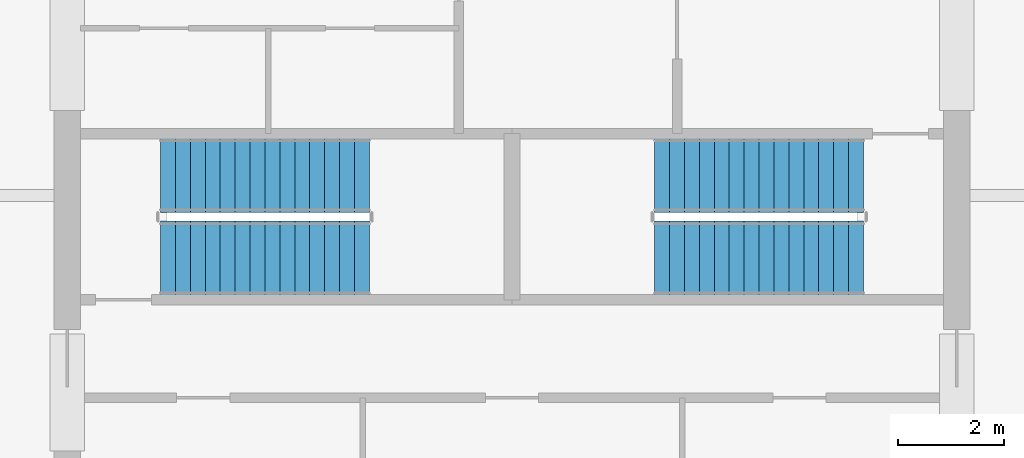
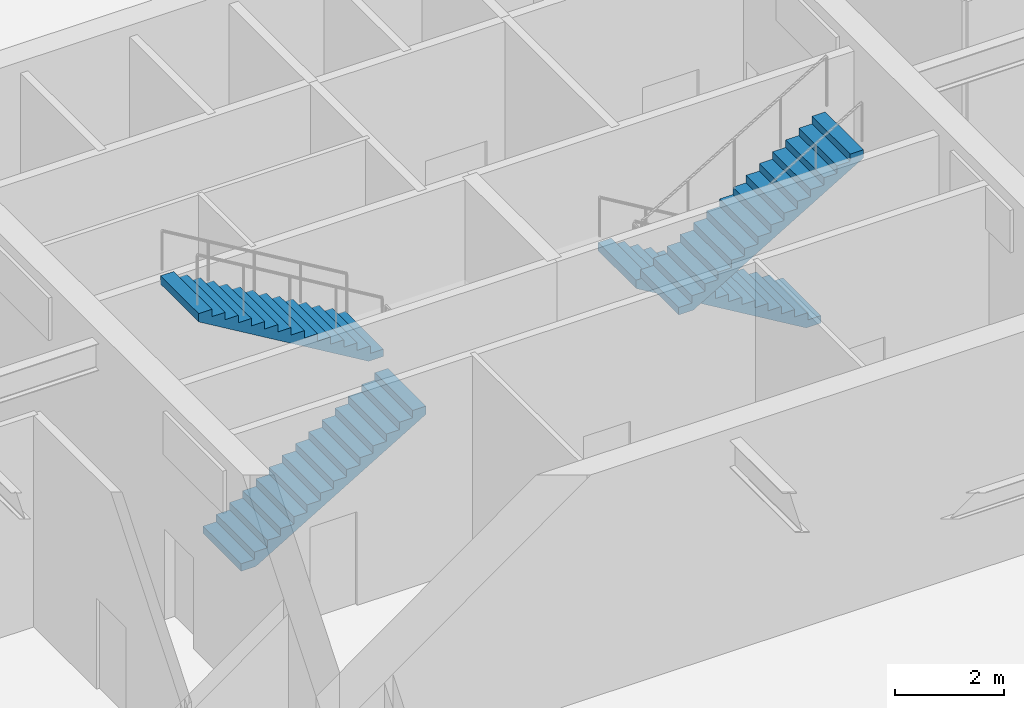
# One storey, part 7 of 10: 4 stair flights, 2 elements without a shape of their own.
"""IFC4 building model written with IfcOpenShell, lengths in metres."""

from ifc_helpers import new_model, si_unit, direction, frame, origin, place, context, subcontext, project, spatial, polyline, outline, extrude, material, type_object, element, aggregate, save


model = new_model("IFC4")

# Units and contexts
model_context = context("Model", 3, precision=1e-05, world=origin(), true_north=direction((0.0, 1.0)))
body_context = subcontext(model_context, "Body", "Model", "MODEL_VIEW")
ifc_project = project(units=[si_unit("LENGTHUNIT", "METRE"), si_unit("AREAUNIT", "SQUARE_METRE"), si_unit("VOLUMEUNIT", "CUBIC_METRE"), si_unit("PLANEANGLEUNIT", "RADIAN"), si_unit("MASSUNIT", "GRAM", prefix="KILO")], contexts=[model_context])

# Site, building, storey
site_placement = place(None, origin())
site = spatial("IfcSite", under=ifc_project, at=site_placement, CompositionType="ELEMENT")
building_placement = place(site_placement, origin())
building = spatial("IfcBuilding", under=site, at=building_placement, Name="Drelvath Grand Hotel", CompositionType="ELEMENT")
storey_placement = place(building_placement, frame((0.0, 0.0, 260.0)))
storey = spatial("IfcBuildingStorey", under=building, at=storey_placement, Name="L68", CompositionType="ELEMENT", Elevation=260.0)

# Stair, stair flights
ifc_material = material(Name="Concrete C40/50", Category="concrete")
stair_type = type_object("IfcStairType", Name="Dogleg Exit Stair W1400-R166.7", PredefinedType="HALF_TURN_STAIR", material=ifc_material)
stair_1_placement = place(storey_placement, origin())
stair_1 = element("IfcStair", 1, at=stair_1_placement, inside=storey, type_object=stair_type, Name="L68 Core Exit Stair ST-1", PredefinedType="HALF_TURN_STAIR")
stair_flight_type = type_object("IfcStairFlightType", Name="Concrete Stair Flight W1400-R166.7", PredefinedType="STRAIGHT", material=ifc_material)
stair_flight_1_placement = place(storey_placement, frame((-6.60009765625, 25.820068359375, 0.0), z_axis=(0.0, 0.0, 1.0), x_axis=(1.0, 0.0, 0.0)))
stair_flight_1 = element("IfcStairFlight", 2, at=stair_flight_1_placement, type_object=stair_flight_type, Name="ST-1 flight 1", NumberOfRisers=15, NumberOfTreads=14, PredefinedType="STRAIGHT", RiserHeight=0.166666667, TreadLength=0.28, context=body_context, shape_type="SweptSolid", body=[
    extrude(outline(polyline([(0.0, 0.0), (0.0, 0.166748046875), (0.280029296875, 0.166748046875), (0.280029296875, 0.333251953125), (0.56005859375, 0.333251953125), (0.56005859375, 0.5), (0.840087890625, 0.5), (0.840087890625, 0.666748046875), (1.1201171875, 0.666748046875), (1.1201171875, 0.833251953125), (1.39990234375, 0.833251953125), (1.39990234375, 1.0), (1.679931640625, 1.0), (1.679931640625, 1.166748046875), (1.9599609375, 1.166748046875), (1.9599609375, 1.333251953125), (2.239990234375, 1.333251953125), (2.239990234375, 1.5), (2.52001953125, 1.5), (2.52001953125, 1.666748046875), (2.800048828125, 1.666748046875), (2.800048828125, 1.833251953125), (3.080078125, 1.833251953125), (3.080078125, 2.0), (3.360107421875, 2.0), (3.360107421875, 2.166748046875), (3.639892578125, 2.166748046875), (3.639892578125, 2.333251953125), (3.919921875, 2.333251953125), (3.919921875, 2.5), (3.919921875, 2.147216796875), (0.312744140625, 0.0), (0.0, 0.0)])), frame((0.0, 0.699951171875, 0.0), z_axis=(0.0, -1.0, 0.0), x_axis=(1.0, 0.0, 0.0)), (0.0, 0.0, 1.0), 1.39990234375),
])
stair_flight_2_placement = place(storey_placement, frame((-2.679931640625, 27.3798828125, 2.5), z_axis=(0.0, 0.0, 1.0), x_axis=(-1.0, 0.0, 0.0)))
stair_flight_2 = element("IfcStairFlight", 3, at=stair_flight_2_placement, type_object=stair_flight_type, Name="ST-1 flight 2", NumberOfRisers=15, NumberOfTreads=14, PredefinedType="STRAIGHT", RiserHeight=0.166666667, TreadLength=0.28, context=body_context, shape_type="SweptSolid", body=[
    extrude(outline(polyline([(0.0, 0.0), (0.0, 0.166748046875), (0.280029296875, 0.166748046875), (0.280029296875, 0.333251953125), (0.56005859375, 0.333251953125), (0.56005859375, 0.5), (0.840087890625, 0.5), (0.840087890625, 0.666748046875), (1.1201171875, 0.666748046875), (1.1201171875, 0.833251953125), (1.39990234375, 0.833251953125), (1.39990234375, 1.0), (1.679931640625, 1.0), (1.679931640625, 1.166748046875), (1.9599609375, 1.166748046875), (1.9599609375, 1.333251953125), (2.239990234375, 1.333251953125), (2.239990234375, 1.5), (2.52001953125, 1.5), (2.52001953125, 1.666748046875), (2.800048828125, 1.666748046875), (2.800048828125, 1.833251953125), (3.080078125, 1.833251953125), (3.080078125, 2.0), (3.360107421875, 2.0), (3.360107421875, 2.166748046875), (3.639892578125, 2.166748046875), (3.639892578125, 2.333251953125), (3.919921875, 2.333251953125), (3.919921875, 2.5), (3.919921875, 2.147216796875), (0.312744140625, 0.0), (0.0, 0.0)])), frame((0.0, 0.699951171875, 0.0), z_axis=(0.0, -1.0, 0.0), x_axis=(1.0, 0.0, 0.0)), (0.0, 0.0, 1.0), 1.39990234375),
])
aggregate(stair_1, [stair_flight_1, stair_flight_2])

stair_2_placement = place(storey_placement, origin())
stair_2 = element("IfcStair", 4, at=stair_2_placement, inside=storey, type_object=stair_type, Name="L68 Core Exit Stair ST-2", PredefinedType="HALF_TURN_STAIR")
stair_flight_3_placement = place(storey_placement, frame((6.60009765625, 27.3798828125, 0.0), z_axis=(0.0, 0.0, 1.0), x_axis=(-1.0, 0.0, 0.0)))
stair_flight_3 = element("IfcStairFlight", 5, at=stair_flight_3_placement, type_object=stair_flight_type, Name="ST-2 flight 1", NumberOfRisers=15, NumberOfTreads=14, PredefinedType="STRAIGHT", RiserHeight=0.166666667, TreadLength=0.28, context=body_context, shape_type="SweptSolid", body=[
    extrude(outline(polyline([(0.0, 0.0), (0.0, 0.166748046875), (0.280029296875, 0.166748046875), (0.280029296875, 0.333251953125), (0.56005859375, 0.333251953125), (0.56005859375, 0.5), (0.840087890625, 0.5), (0.840087890625, 0.666748046875), (1.1201171875, 0.666748046875), (1.1201171875, 0.833251953125), (1.39990234375, 0.833251953125), (1.39990234375, 1.0), (1.679931640625, 1.0), (1.679931640625, 1.166748046875), (1.9599609375, 1.166748046875), (1.9599609375, 1.333251953125), (2.239990234375, 1.333251953125), (2.239990234375, 1.5), (2.52001953125, 1.5), (2.52001953125, 1.666748046875), (2.800048828125, 1.666748046875), (2.800048828125, 1.833251953125), (3.080078125, 1.833251953125), (3.080078125, 2.0), (3.360107421875, 2.0), (3.360107421875, 2.166748046875), (3.639892578125, 2.166748046875), (3.639892578125, 2.333251953125), (3.919921875, 2.333251953125), (3.919921875, 2.5), (3.919921875, 2.147216796875), (0.312744140625, 0.0), (0.0, 0.0)])), frame((0.0, 0.699951171875, 0.0), z_axis=(0.0, -1.0, 0.0), x_axis=(1.0, 0.0, 0.0)), (0.0, 0.0, 1.0), 1.39990234375),
])
stair_flight_4_placement = place(storey_placement, frame((2.679931640625, 25.820068359375, 2.5), z_axis=(0.0, 0.0, 1.0), x_axis=(1.0, 0.0, 0.0)))
stair_flight_4 = element("IfcStairFlight", 6, at=stair_flight_4_placement, type_object=stair_flight_type, Name="ST-2 flight 2", NumberOfRisers=15, NumberOfTreads=14, PredefinedType="STRAIGHT", RiserHeight=0.166666667, TreadLength=0.28, context=body_context, shape_type="SweptSolid", body=[
    extrude(outline(polyline([(0.0, 0.0), (0.0, 0.166748046875), (0.280029296875, 0.166748046875), (0.280029296875, 0.333251953125), (0.56005859375, 0.333251953125), (0.56005859375, 0.5), (0.840087890625, 0.5), (0.840087890625, 0.666748046875), (1.1201171875, 0.666748046875), (1.1201171875, 0.833251953125), (1.39990234375, 0.833251953125), (1.39990234375, 1.0), (1.679931640625, 1.0), (1.679931640625, 1.166748046875), (1.9599609375, 1.166748046875), (1.9599609375, 1.333251953125), (2.239990234375, 1.333251953125), (2.239990234375, 1.5), (2.52001953125, 1.5), (2.52001953125, 1.666748046875), (2.800048828125, 1.666748046875), (2.800048828125, 1.833251953125), (3.080078125, 1.833251953125), (3.080078125, 2.0), (3.360107421875, 2.0), (3.360107421875, 2.166748046875), (3.639892578125, 2.166748046875), (3.639892578125, 2.333251953125), (3.919921875, 2.333251953125), (3.919921875, 2.5), (3.919921875, 2.147216796875), (0.312744140625, 0.0), (0.0, 0.0)])), frame((0.0, 0.699951171875, 0.0), z_axis=(0.0, -1.0, 0.0), x_axis=(1.0, 0.0, 0.0)), (0.0, 0.0, 1.0), 1.39990234375),
])
aggregate(stair_2, [stair_flight_3, stair_flight_4])

save(model, "model.ifc")
